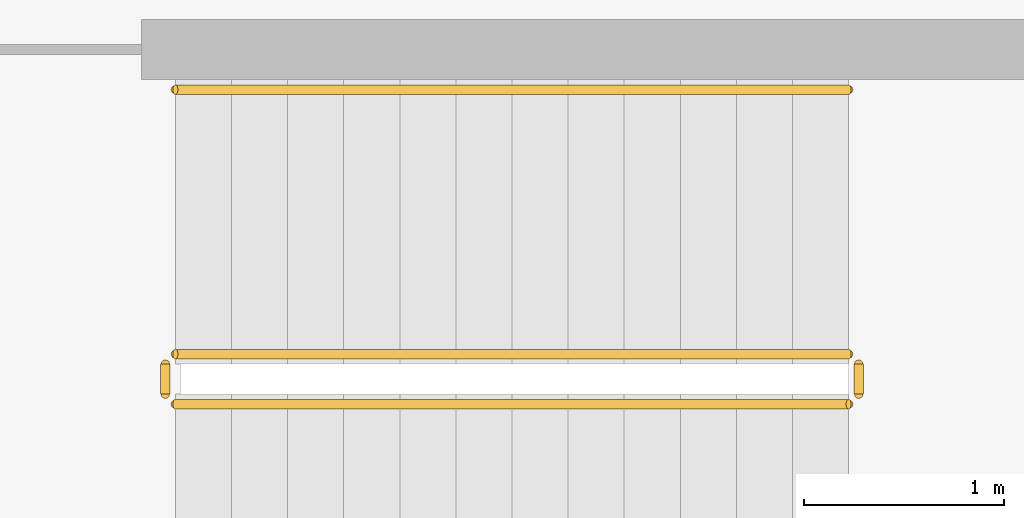
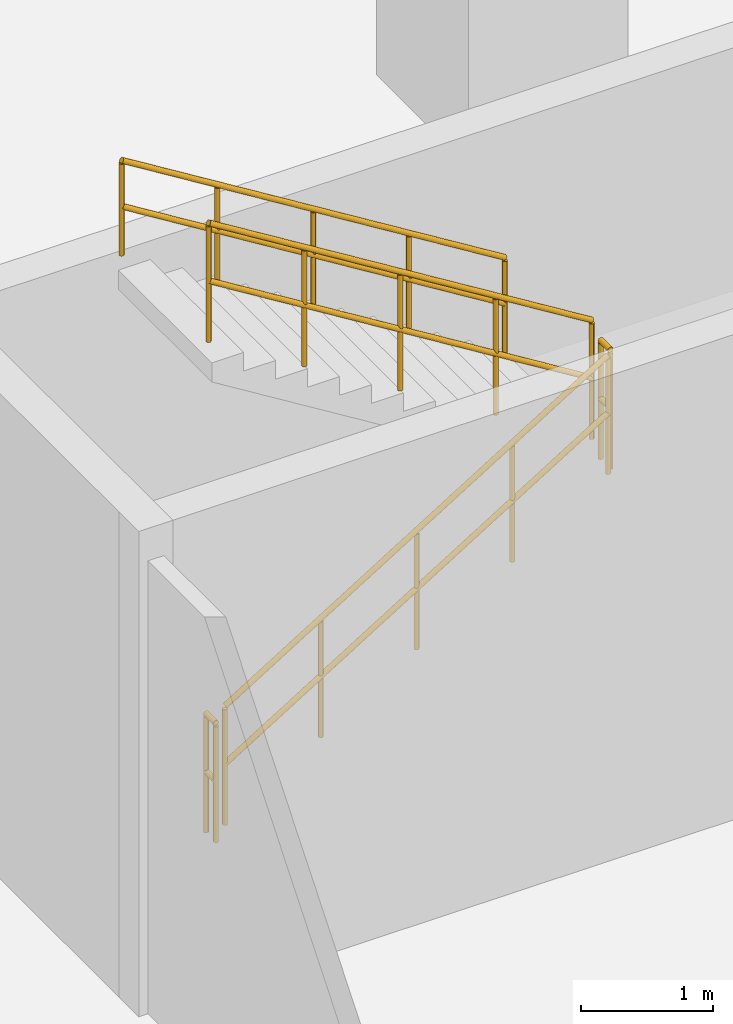
# One storey, part 27 of 29: 5 railings.
"""IFC4 building model written with IfcOpenShell, lengths in metres."""

import ifcopenshell
import ifcopenshell.guid

model = None  # the IFC model being written
_history = None  # IfcOwnerHistory: only IFC2X3 demands one
_inside = {}  # id of a spatial element -> (the spatial element, [elements in it])
_under = {}  # id of a project, library or spatial element -> (it, [spatial elements below it])
_declared = {}  # id of a project -> (the project, [libraries it declares])
_typed = {}  # id of a type object -> (the type object, [elements of that type])
_made_of = {}  # id of a material, layer set ... -> (it, [elements and type objects made of it])


def new_model(schema):
    """Start an empty IFC model of exactly this schema.

    Asked for "IFC4X3", IfcOpenShell would pick the latest addendum, in which some entities
    have other attributes; the version numbers below select the first issue.
    IFC2X3 requires an IfcOwnerHistory on every rooted entity: one is made here for all.
    """
    global model, _history
    if schema == "IFC4X3":
        model = ifcopenshell.file(schema_version=(4, 3, 0, 0))
    else:
        model = ifcopenshell.file(schema=schema)
    _inside.clear()
    _under.clear()
    _declared.clear()
    _typed.clear()
    _made_of.clear()
    _history = None
    if model.schema == "IFC2X3":
        org = make("IfcOrganization", Name="unknown")
        user = make(
            "IfcPersonAndOrganization",
            ThePerson=make("IfcPerson", FamilyName="unknown"),
            TheOrganization=org,
        )
        app = make(
            "IfcApplication",
            ApplicationDeveloper=org,
            Version="unknown",
            ApplicationFullName="unknown",
            ApplicationIdentifier="unknown",
        )
        _history = make(
            "IfcOwnerHistory",
            OwningUser=user,
            OwningApplication=app,
            ChangeAction="ADDED",
            CreationDate=0,
        )
    return model


def make(cls, **values):
    """One entity of the class cls with the attributes given. An attribute that is None is left unset."""
    return model.create_entity(
        cls, **{name: value for name, value in values.items() if value is not None}
    )


def rooted(cls, **values):
    """An entity with a GlobalId (a new one), such as an element, a storey or a relation."""
    return make(cls, GlobalId=ifcopenshell.guid.new(), OwnerHistory=_history, **values)


def si_unit(unit_type, name, prefix=None):
    """IfcSIUnit, for example si_unit("LENGTHUNIT", "METRE", prefix="MILLI")."""
    return make("IfcSIUnit", UnitType=unit_type, Prefix=prefix, Name=name)


def assignment(units):
    """IfcUnitAssignment: the units of a project."""
    return None if units is None else make("IfcUnitAssignment", Units=units)


def point(xyz):
    """IfcCartesianPoint."""
    return None if xyz is None else make("IfcCartesianPoint", Coordinates=xyz)


def direction(xyz):
    """IfcDirection."""
    return None if xyz is None else make("IfcDirection", DirectionRatios=xyz)


def frame(location, z_axis=None, x_axis=None):
    """IfcAxis2Placement3D, a coordinate frame: its origin and axes. An axis left out is left unset."""
    return make(
        "IfcAxis2Placement3D",
        Location=point(location),
        Axis=direction(z_axis),
        RefDirection=direction(x_axis),
    )


def frame_2d(location, x_axis=None):
    """IfcAxis2Placement2D, a coordinate frame in the plane: its origin and x axis."""
    return make(
        "IfcAxis2Placement2D", Location=point(location), RefDirection=direction(x_axis)
    )


def origin():
    """The frame at (0, 0, 0) with its axes left unset."""
    return frame((0.0, 0.0, 0.0))


def origin_2d():
    """The frame at (0, 0) in the plane with its x axis left unset."""
    return frame_2d((0.0, 0.0))


def place(relative_to, where):
    """IfcLocalPlacement: puts the frame where relative to a parent placement (None: the world)."""
    return make(
        "IfcLocalPlacement", PlacementRelTo=relative_to, RelativePlacement=where
    )


def context(
    kind, dimensions, precision=None, world=None, true_north=None, identifier=None
):
    """IfcGeometricRepresentationContext, for example the 3D "Model" context."""
    return make(
        "IfcGeometricRepresentationContext",
        ContextIdentifier=identifier,
        ContextType=kind,
        CoordinateSpaceDimension=dimensions,
        Precision=precision,
        WorldCoordinateSystem=world,
        TrueNorth=true_north,
    )


def subcontext(parent, identifier, kind, view, scale=None):
    """IfcGeometricRepresentationSubContext, for example "Body" below "Model"."""
    return make(
        "IfcGeometricRepresentationSubContext",
        ContextIdentifier=identifier,
        ContextType=kind,
        ParentContext=parent,
        TargetScale=scale,
        TargetView=view,
    )


def project(units=None, contexts=None):
    """IfcProject with its units and contexts."""
    return rooted(
        "IfcProject",
        Name="project",
        RepresentationContexts=contexts,
        UnitsInContext=assignment(units),
    )


def spatial(cls, under=None, at=None, **own):
    """A site, building, storey or space (cls), placed at a placement, below another one or the project."""
    s = rooted(cls, ObjectPlacement=at, **own)
    if under is not None:
        _under.setdefault(under.id(), (under, []))[1].append(s)
    return s


def profile(cls, at=None, kind="AREA", **sizes):
    """A parametric profile (cls). Its sizes go by their IFC names, for example OverallWidth=200.0."""
    return make(cls, ProfileType=kind, Position=at, **sizes)


def circle(**sizes):
    """IfcCircleProfileDef."""
    return profile("IfcCircleProfileDef", **sizes)


def extrude(swept, where, along, depth):
    """IfcExtrudedAreaSolid: the profile swept, set in the frame where, extruded along a direction by depth."""
    return make(
        "IfcExtrudedAreaSolid",
        SweptArea=swept,
        Position=where,
        ExtrudedDirection=direction(along),
        Depth=depth,
    )


def shape(context_of_items, identifier, shape_type, items):
    """IfcShapeRepresentation: the items that make up one representation, for example the "Body"."""
    return make(
        "IfcShapeRepresentation",
        ContextOfItems=context_of_items,
        RepresentationIdentifier=identifier,
        RepresentationType=shape_type,
        Items=items,
    )


def material(Name=None, Category=None):
    """IfcMaterial."""
    return make("IfcMaterial", Name=Name, Category=Category)


def made_of(thing, what):
    """Note that an element or type object is made of a material, layer set ...; save() writes the relation."""
    if what is not None:
        _made_of.setdefault(what.id(), (what, []))[1].append(thing)
    return thing


def type_object(cls, material=None, **own):
    """A type object (cls), such as IfcWallType, which elements share."""
    return made_of(rooted(cls, **own), material)


def element(
    cls,
    number,
    at=None,
    inside=None,
    cuts=None,
    type_object=None,
    material=None,
    context=None,
    identifier="Body",
    shape_type=None,
    held_by="IfcProductDefinitionShape",
    body=None,
    shapes=None,
    **own,
):
    """One element of the class cls, such as IfcWall. Its Tag is "e" and its number.

    at: its placement. inside: the storey or other place that contains it. cuts: it is an
    opening in that element (IfcRelVoidsElement). A single representation is given by context,
    identifier, shape_type and body (its items); several are given by shapes. held_by: the class
    of the entity that holds the representations. save() writes the other relations.
    """
    e = rooted(cls, Tag="e%d" % number, ObjectPlacement=at, **own)
    if body is not None:
        shapes = [shape(context, identifier, shape_type, body)]
    if shapes is not None:
        e.Representation = make(held_by, Representations=shapes)
    if inside is not None:
        _inside.setdefault(inside.id(), (inside, []))[1].append(e)
    if cuts is not None:
        rooted(
            "IfcRelVoidsElement", RelatingBuildingElement=cuts, RelatedOpeningElement=e
        )
    if type_object is not None:
        _typed.setdefault(type_object.id(), (type_object, []))[1].append(e)
    return made_of(e, material)


def aggregate(whole, parts):
    """IfcRelAggregates: a whole, such as a stair, and the parts it consists of."""
    return rooted("IfcRelAggregates", RelatingObject=whole, RelatedObjects=parts)


def save(model, path):
    """Write the relations noted so far, then the file.

    IfcRelAggregates (storeys below a building ...), IfcRelContainedInSpatialStructure (elements
    in a storey), IfcRelDefinesByType, IfcRelAssociatesMaterial and IfcRelDeclares: one each for
    every whole, place, type object, material and project.
    """
    for whole, parts in _under.values():
        aggregate(whole, parts)
    for where, things in _inside.values():
        rooted(
            "IfcRelContainedInSpatialStructure",
            RelatedElements=things,
            RelatingStructure=where,
        )
    for kind, things in _typed.values():
        rooted("IfcRelDefinesByType", RelatedObjects=things, RelatingType=kind)
    for what, things in _made_of.values():
        rooted("IfcRelAssociatesMaterial", RelatedObjects=things, RelatingMaterial=what)
    for by, libraries in _declared.values():
        rooted("IfcRelDeclares", RelatingContext=by, RelatedDefinitions=libraries)
    model.write(path)


model = new_model("IFC4")

# Units and contexts
model_context = context("Model", 3, precision=1e-05, world=origin(), true_north=direction((0.0, 1.0)))
body_context = subcontext(model_context, "Body", "Model", "MODEL_VIEW")
ifc_project = project(units=[si_unit("LENGTHUNIT", "METRE"), si_unit("AREAUNIT", "SQUARE_METRE"), si_unit("VOLUMEUNIT", "CUBIC_METRE"), si_unit("PLANEANGLEUNIT", "RADIAN"), si_unit("MASSUNIT", "GRAM", prefix="KILO")], contexts=[model_context])

# Site, building, storey
site_placement = place(None, origin())
site = spatial("IfcSite", under=ifc_project, at=site_placement, CompositionType="ELEMENT")
building_placement = place(site_placement, origin())
building = spatial("IfcBuilding", under=site, at=building_placement, Name="Tarnavaz Court Tower", CompositionType="ELEMENT")
storey_placement = place(building_placement, frame((0.0, 0.0, 5.39990234375)))
storey = spatial("IfcBuildingStorey", under=building, at=storey_placement, Name="L01", CompositionType="ELEMENT", Elevation=5.39990234375)

# Railings
ifc_material_1 = material(Name="Brushed Stainless Steel", Category="steel")
railing_type_1 = type_object("IfcRailingType", Name="RL-HANDRAIL-900", PredefinedType="HANDRAIL", material=ifc_material_1)
railing_1_placement = place(storey_placement, frame((24.47998046875, -19.760009765625, 2.423095703125)))
element("IfcRailing", 1, at=railing_1_placement, inside=storey, type_object=railing_type_1, Name="L01 ST-P1 stair handrail 2", PredefinedType="HANDRAIL", context=body_context, shape_type="SweptSolid", body=[
    extrude(circle(Radius=0.02392578125, at=origin_2d()), frame((0.0, 0.0, 0.8759765625), z_axis=(-0.850606129759, 0.0, 0.525803396734), x_axis=(0.0, -1.0, 0.0)), (0.0, 0.0, 1.0), 3.949951171875),
    extrude(circle(Radius=0.02392578125, at=origin_2d()), frame((0.0, 0.0, 0.449951171875), z_axis=(-0.850606129759, 0.0, 0.525803396734), x_axis=(0.0, -1.0, 0.0)), (0.0, 0.0, 1.0), 3.949951171875),
    extrude(circle(Radius=0.02099609375, at=origin_2d()), origin(), (0.0, 0.0, 1.0), 0.851806640625),
    extrude(circle(Radius=0.02099609375, at=origin_2d()), frame((-0.83984375, 0.0, 0.519287109375)), (0.0, 0.0, 1.0), 0.851806640625),
    extrude(circle(Radius=0.02099609375, at=origin_2d()), frame((-1.679931640625, 0.0, 1.03857421875)), (0.0, 0.0, 1.0), 0.851806640625),
    extrude(circle(Radius=0.02099609375, at=origin_2d()), frame((-2.52001953125, 0.0, 1.5576171875)), (0.0, 0.0, 1.0), 0.851806640625),
    extrude(circle(Radius=0.02099609375, at=origin_2d()), frame((-3.35986328125, 0.0, 2.076904296875)), (0.0, 0.0, 1.0), 0.851806640625),
])
ifc_material_2 = material(Name="Galvanized Painted Tubular Steel", Category="steel")
railing_type_2 = type_object("IfcRailingType", Name="RL-STGUARD-1120", PredefinedType="GUARDRAIL", material=ifc_material_2)
railing_2_placement = place(storey_placement, frame((21.1201171875, -21.330078125, 0.173095703125)))
element("IfcRailing", 2, at=railing_2_placement, inside=storey, type_object=railing_type_2, Name="L01 ST-P1 stair guard 1", PredefinedType="GUARDRAIL", context=body_context, shape_type="SweptSolid", body=[
    extrude(circle(Radius=0.02392578125, at=origin_2d()), frame((0.0, 0.0, 1.09619140625), z_axis=(0.850606129759, 0.0, 0.525803396734), x_axis=(0.0, 1.0, 0.0)), (0.0, 0.0, 1.0), 3.949951171875),
    extrude(circle(Radius=0.02392578125, at=origin_2d()), frame((0.0, 0.0, 0.56005859375), z_axis=(0.850606129759, 0.0, 0.525803396734), x_axis=(0.0, 1.0, 0.0)), (0.0, 0.0, 1.0), 3.949951171875),
    extrude(circle(Radius=0.02099609375, at=origin_2d()), origin(), (0.0, 0.0, 1.0), 1.072021484375),
    extrude(circle(Radius=0.02099609375, at=origin_2d()), frame((0.83984375, 0.0, 0.519287109375)), (0.0, 0.0, 1.0), 1.072021484375),
    extrude(circle(Radius=0.02099609375, at=origin_2d()), frame((1.679931640625, 0.0, 1.03857421875)), (0.0, 0.0, 1.0), 1.072021484375),
    extrude(circle(Radius=0.02099609375, at=origin_2d()), frame((2.52001953125, 0.0, 1.5576171875)), (0.0, 0.0, 1.0), 1.072021484375),
    extrude(circle(Radius=0.02099609375, at=origin_2d()), frame((3.35986328125, 0.0, 2.076904296875)), (0.0, 0.0, 1.0), 1.072021484375),
])
railing_3_placement = place(storey_placement, frame((24.530029296875, -21.280029296875, 2.25)))
element("IfcRailing", 3, at=railing_3_placement, inside=storey, type_object=railing_type_2, Name="L01 ST-P1 stair guard 2", PredefinedType="GUARDRAIL", context=body_context, shape_type="SweptSolid", body=[
    extrude(circle(Radius=0.02392578125, at=origin_2d()), frame((0.0, 0.0, 1.09619140625), z_axis=(0.0, 1.0, 0.0), x_axis=(-1.0, 0.0, 0.0)), (0.0, 0.0, 1.0), 0.150146484375),
    extrude(circle(Radius=0.02392578125, at=origin_2d()), frame((0.0, 0.0, 0.56005859375), z_axis=(0.0, 1.0, 0.0), x_axis=(-1.0, 0.0, 0.0)), (0.0, 0.0, 1.0), 0.150146484375),
    extrude(circle(Radius=0.02099609375, at=origin_2d()), origin(), (0.0, 0.0, 1.0), 1.072021484375),
    extrude(circle(Radius=0.02099609375, at=origin_2d()), frame((0.0, 0.150146484375, 0.0)), (0.0, 0.0, 1.0), 1.072021484375),
])
railing_4_placement = place(storey_placement, frame((24.47998046875, -21.080078125, 2.423095703125)))
element("IfcRailing", 4, at=railing_4_placement, inside=storey, type_object=railing_type_2, Name="L01 ST-P1 stair guard 3", PredefinedType="GUARDRAIL", context=body_context, shape_type="SweptSolid", body=[
    extrude(circle(Radius=0.02392578125, at=origin_2d()), frame((0.0, 0.0, 1.09619140625), z_axis=(-0.850606129759, 0.0, 0.525803396734), x_axis=(0.0, -1.0, 0.0)), (0.0, 0.0, 1.0), 3.949951171875),
    extrude(circle(Radius=0.02392578125, at=origin_2d()), frame((0.0, 0.0, 0.56005859375), z_axis=(-0.850606129759, 0.0, 0.525803396734), x_axis=(0.0, -1.0, 0.0)), (0.0, 0.0, 1.0), 3.949951171875),
    extrude(circle(Radius=0.02099609375, at=origin_2d()), origin(), (0.0, 0.0, 1.0), 1.072021484375),
    extrude(circle(Radius=0.02099609375, at=origin_2d()), frame((-0.83984375, 0.0, 0.519287109375)), (0.0, 0.0, 1.0), 1.072021484375),
    extrude(circle(Radius=0.02099609375, at=origin_2d()), frame((-1.679931640625, 0.0, 1.03857421875)), (0.0, 0.0, 1.0), 1.072021484375),
    extrude(circle(Radius=0.02099609375, at=origin_2d()), frame((-2.52001953125, 0.0, 1.5576171875)), (0.0, 0.0, 1.0), 1.072021484375),
    extrude(circle(Radius=0.02099609375, at=origin_2d()), frame((-3.35986328125, 0.0, 2.076904296875)), (0.0, 0.0, 1.0), 1.072021484375),
])
railing_5_placement = place(storey_placement, frame((21.070068359375, -21.280029296875, 0.0)))
element("IfcRailing", 5, at=railing_5_placement, inside=storey, type_object=railing_type_2, Name="L01 ST-P1 stair guard 4", PredefinedType="GUARDRAIL", context=body_context, shape_type="SweptSolid", body=[
    extrude(circle(Radius=0.02392578125, at=origin_2d()), frame((0.0, 0.0, 1.09619140625), z_axis=(0.0, 1.0, 0.0), x_axis=(-1.0, 0.0, 0.0)), (0.0, 0.0, 1.0), 0.150146484375),
    extrude(circle(Radius=0.02392578125, at=origin_2d()), frame((0.0, 0.0, 0.56005859375), z_axis=(0.0, 1.0, 0.0), x_axis=(-1.0, 0.0, 0.0)), (0.0, 0.0, 1.0), 0.150146484375),
    extrude(circle(Radius=0.02099609375, at=origin_2d()), origin(), (0.0, 0.0, 1.0), 1.072021484375),
    extrude(circle(Radius=0.02099609375, at=origin_2d()), frame((0.0, 0.150146484375, 0.0)), (0.0, 0.0, 1.0), 1.072021484375),
])

save(model, "model.ifc")
